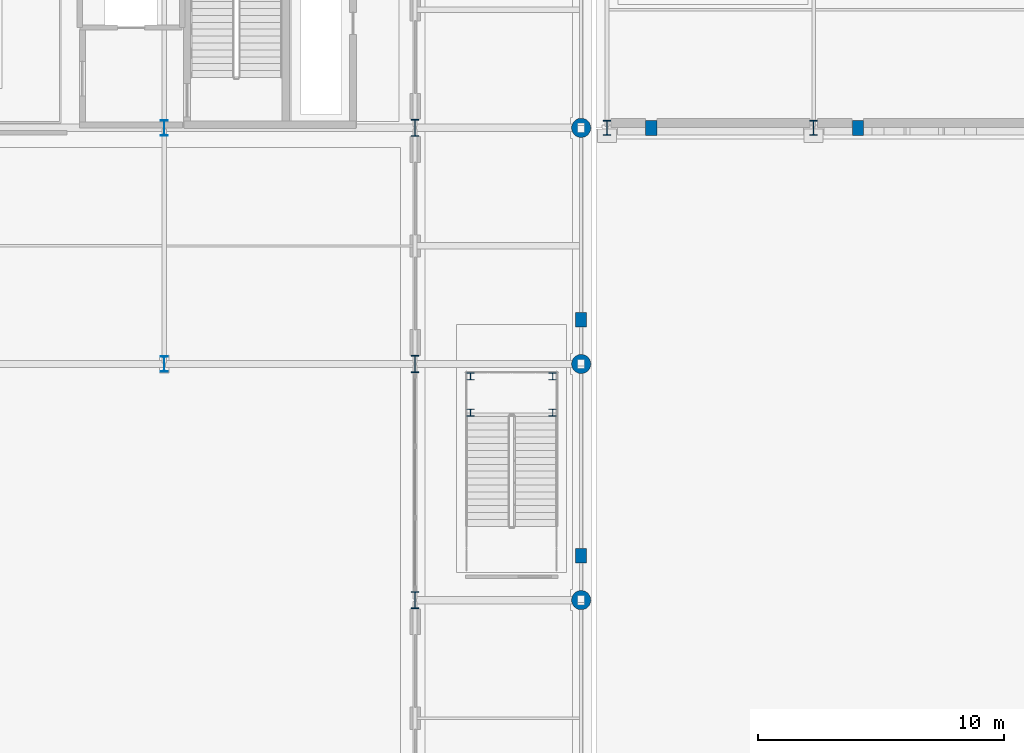
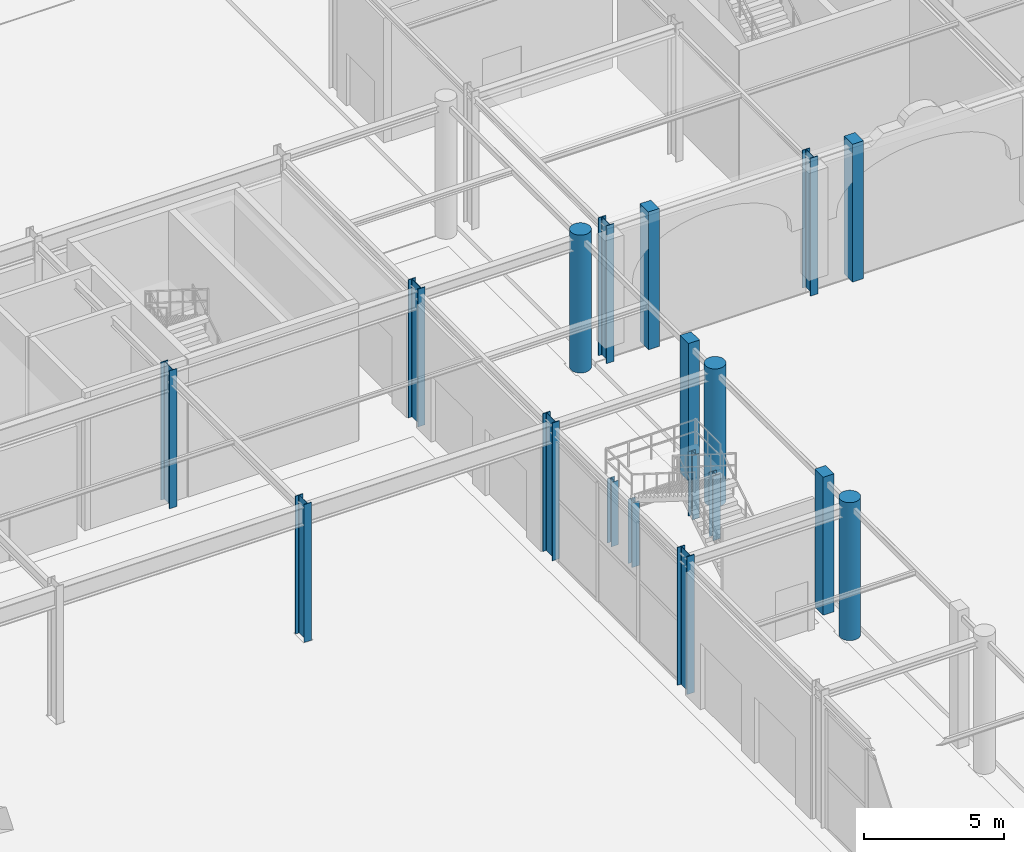
# One storey, part 15 of 113: 18 columns.
"""IFC4 building model written with IfcOpenShell, lengths in metres."""

from ifc_helpers import new_model, si_unit, direction, frame, origin, origin_2d, place, context, subcontext, project, spatial, rectangle, circle, i_section, extrude, material, material_profile, profile_set, type_object, element, save


model = new_model("IFC4")

# Units and contexts
model_context = context("Model", 3, precision=1e-05, world=origin(), true_north=direction((0.0, 1.0)))
body_context = subcontext(model_context, "Body", "Model", "MODEL_VIEW")
ifc_project = project(units=[si_unit("LENGTHUNIT", "METRE"), si_unit("AREAUNIT", "SQUARE_METRE"), si_unit("VOLUMEUNIT", "CUBIC_METRE"), si_unit("PLANEANGLEUNIT", "RADIAN"), si_unit("MASSUNIT", "GRAM", prefix="KILO")], contexts=[model_context])

# Site, building, storey
site_placement = place(None, origin())
site = spatial("IfcSite", under=ifc_project, at=site_placement, CompositionType="ELEMENT")
building_placement = place(site_placement, origin())
building = spatial("IfcBuilding", under=site, at=building_placement, Name="Myrtia Square Station", CompositionType="ELEMENT")
storey_placement = place(building_placement, origin())
storey = spatial("IfcBuildingStorey", under=building, at=storey_placement, Name="L00", CompositionType="ELEMENT", Elevation=0.0)

# Columns
ifc_material_1 = material(Name="Steel S355", Category="steel")
ifc_material_profile_1 = material_profile(ifc_material_1, i_section(OverallWidth=0.300048828125, OverallDepth=0.639892578125, WebThickness=0.013427734375, FlangeThickness=0.02587890625, FilletRadius=0.027099609375, at=origin_2d()), Name="HEA 650")
ifc_profile_set_1 = profile_set([ifc_material_profile_1], Name="Steel S355")
column_type_1 = type_object("IfcColumnType", Name="COL-HEA650", PredefinedType="COLUMN", material=ifc_profile_set_1)
for number, where, z_axis, x_axis, name in (
    (1, (99.60009765625, 76.800048828125, 0.0), (0.0, 0.0, 1.0), (1.0, 0.0, 0.0), "Column L00-0467"),
    (2, (99.60009765625, 86.39990234375, 0.0), (0.0, 0.0, 1.0), (1.0, 0.0, 0.0), "Column L00-0472"),
):
    element("IfcColumn", number, at=place(storey_placement, frame(where, z_axis=z_axis, x_axis=x_axis)), inside=storey, type_object=column_type_1, Name=name, PredefinedType="COLUMN", context=body_context, shape_type="SweptSolid", body=[
        extrude(i_section(OverallWidth=0.300048828125, OverallDepth=0.639892578125, WebThickness=0.013427734375, FlangeThickness=0.02587890625, FilletRadius=0.027099609375, at=origin_2d()), origin(), (0.0, 0.0, 1.0), 6.0),
    ])
ifc_material_profile_2 = material_profile(ifc_material_1, i_section(OverallWidth=0.300048828125, OverallDepth=0.300048828125, WebThickness=0.010986328125, FlangeThickness=0.01904296875, FilletRadius=0.027099609375, at=origin_2d()), Name="HEB 300")
ifc_profile_set_2 = profile_set([ifc_material_profile_2], Name="Steel S355")
column_type_2 = type_object("IfcColumnType", Name="COL-HEB300", PredefinedType="COLUMN", material=ifc_profile_set_2)
for number, where, z_axis, x_axis, name in (
    (3, (112.050048828125, 76.300048828125, 0.0), (0.0, 0.0, 1.0), (1.0, 0.0, 0.0), "Interchange stair landing post 6-WN"),
    (4, (112.050048828125, 74.820068359375, 0.0), (0.0, 0.0, 1.0), (1.0, 0.0, 0.0), "Interchange stair landing post 6-WS"),
    (5, (115.389892578125, 76.300048828125, 0.0), (0.0, 0.0, 1.0), (1.0, 0.0, 0.0), "Interchange stair landing post 6-EN"),
    (6, (115.389892578125, 74.820068359375, 0.0), (0.0, 0.0, 1.0), (1.0, 0.0, 0.0), "Interchange stair landing post 6-ES"),
):
    element("IfcColumn", number, at=place(storey_placement, frame(where, z_axis=z_axis, x_axis=x_axis)), inside=storey, type_object=column_type_2, Name=name, PredefinedType="COLUMN", context=body_context, shape_type="SweptSolid", body=[
        extrude(i_section(OverallWidth=0.300048828125, OverallDepth=0.300048828125, WebThickness=0.010986328125, FlangeThickness=0.01904296875, FilletRadius=0.027099609375, at=origin_2d()), origin(), (0.0, 0.0, 1.0), 2.800048828125),
    ])
ifc_material_profile_3 = material_profile(ifc_material_1, i_section(OverallWidth=0.300048828125, OverallDepth=0.60009765625, WebThickness=0.015380859375, FlangeThickness=0.030029296875, FilletRadius=0.027099609375, at=origin_2d()), Name="HEB 600")
ifc_profile_set_3 = profile_set([ifc_material_profile_3], Name="Steel S355")
column_type_3 = type_object("IfcColumnType", Name="COL-HEB600", PredefinedType="COLUMN", material=ifc_profile_set_3)
for number, where, z_axis, x_axis, name in (
    (7, (117.60009765625, 86.39990234375, 0.0), (0.0, 0.0, 1.0), (1.0, 0.0, 0.0), "Column L00-0760"),
    (8, (126.0, 86.39990234375, 0.0), (0.0, 0.0, 1.0), (1.0, 0.0, 0.0), "Column L00-0780"),
):
    element("IfcColumn", number, at=place(storey_placement, frame(where, z_axis=z_axis, x_axis=x_axis)), inside=storey, type_object=column_type_3, Name=name, PredefinedType="COLUMN", context=body_context, shape_type="SweptSolid", body=[
        extrude(i_section(OverallWidth=0.300048828125, OverallDepth=0.60009765625, WebThickness=0.015380859375, FlangeThickness=0.030029296875, FilletRadius=0.027099609375, at=origin_2d()), origin(), (0.0, 0.0, 1.0), 6.0),
    ])
ifc_material_profile_4 = material_profile(ifc_material_1, i_section(OverallWidth=0.300048828125, OverallDepth=0.699951171875, WebThickness=0.01708984375, FlangeThickness=0.031982421875, FilletRadius=0.027099609375, at=origin_2d()), Name="HEB 700")
ifc_profile_set_4 = profile_set([ifc_material_profile_4], Name="Steel S355")
column_type_4 = type_object("IfcColumnType", Name="COL-HEB700", PredefinedType="COLUMN", material=ifc_profile_set_4)
for number, where, z_axis, x_axis, name in (
    (9, (109.800048828125, 67.199951171875, 0.0), (0.0, 0.0, 1.0), (1.0, 0.0, 0.0), "Column L00-0346"),
    (10, (109.800048828125, 76.800048828125, 0.0), (0.0, 0.0, 1.0), (1.0, 0.0, 0.0), "Column L00-0368"),
    (11, (109.800048828125, 86.39990234375, 0.0), (0.0, 0.0, 1.0), (1.0, 0.0, 0.0), "Column L00-0390"),
):
    element("IfcColumn", number, at=place(storey_placement, frame(where, z_axis=z_axis, x_axis=x_axis)), inside=storey, type_object=column_type_4, Name=name, PredefinedType="COLUMN", context=body_context, shape_type="SweptSolid", body=[
        extrude(i_section(OverallWidth=0.300048828125, OverallDepth=0.699951171875, WebThickness=0.01708984375, FlangeThickness=0.031982421875, FilletRadius=0.027099609375, at=origin_2d()), origin(), (0.0, 0.0, 1.0), 6.0),
    ])
ifc_material_2 = material(Name="Concrete C40/50", Category="concrete")
ifc_material_profile_5 = material_profile(ifc_material_2, circle(Radius=0.389892578125, at=origin_2d()), Name="RC D780")
ifc_profile_set_5 = profile_set([ifc_material_profile_5], Name="Concrete C40/50")
column_type_5 = type_object("IfcColumnType", Name="COL-RCD780", PredefinedType="COLUMN", material=ifc_profile_set_5)
for number, where, z_axis, x_axis, name in (
    (12, (116.550048828125, 67.199951171875, 0.0), (0.0, 0.0, 1.0), (1.0, 0.0, 0.0), "Column L00-0335"),
    (13, (116.550048828125, 76.800048828125, 0.0), (0.0, 0.0, 1.0), (1.0, 0.0, 0.0), "Column L00-0357"),
    (14, (116.550048828125, 86.39990234375, 0.0), (0.0, 0.0, 1.0), (1.0, 0.0, 0.0), "Column L00-0379"),
):
    element("IfcColumn", number, at=place(storey_placement, frame(where, z_axis=z_axis, x_axis=x_axis)), inside=storey, type_object=column_type_5, Name=name, PredefinedType="COLUMN", context=body_context, shape_type="SweptSolid", body=[
        extrude(circle(Radius=0.389892578125, at=origin_2d()), origin(), (0.0, 0.0, 1.0), 6.0),
    ])
ifc_material_profile_6 = material_profile(ifc_material_2, rectangle(XDim=0.449951171875, YDim=0.60009765625, at=origin_2d()), Name="PIL 450x600")
ifc_profile_set_6 = profile_set([ifc_material_profile_6], Name="Concrete C40/50")
column_type_6 = type_object("IfcColumnType", Name="PIL-RC450x600", PredefinedType="PILASTER", material=ifc_profile_set_6)
for number, where, z_axis, x_axis, name in (
    (15, (116.550048828125, 69.0, 0.0), (0.0, 0.0, 1.0), (1.0, 0.0, 0.0), "Portales arcade pilaster L00-04"),
    (16, (116.550048828125, 78.60009765625, 0.0), (0.0, 0.0, 1.0), (1.0, 0.0, 0.0), "Portales arcade pilaster L00-05"),
    (17, (119.39990234375, 86.39990234375, 0.0), (0.0, 0.0, 1.0), (1.0, 0.0, 0.0), "Portales arcade pilaster L00-13"),
    (18, (127.800048828125, 86.39990234375, 0.0), (0.0, 0.0, 1.0), (1.0, 0.0, 0.0), "Portales arcade pilaster L00-14"),
):
    element("IfcColumn", number, at=place(storey_placement, frame(where, z_axis=z_axis, x_axis=x_axis)), inside=storey, type_object=column_type_6, Name=name, PredefinedType="PILASTER", context=body_context, shape_type="SweptSolid", body=[
        extrude(rectangle(XDim=0.449951171875, YDim=0.60009765625, at=origin_2d()), origin(), (0.0, 0.0, 1.0), 6.0),
    ])

save(model, "model.ifc")
